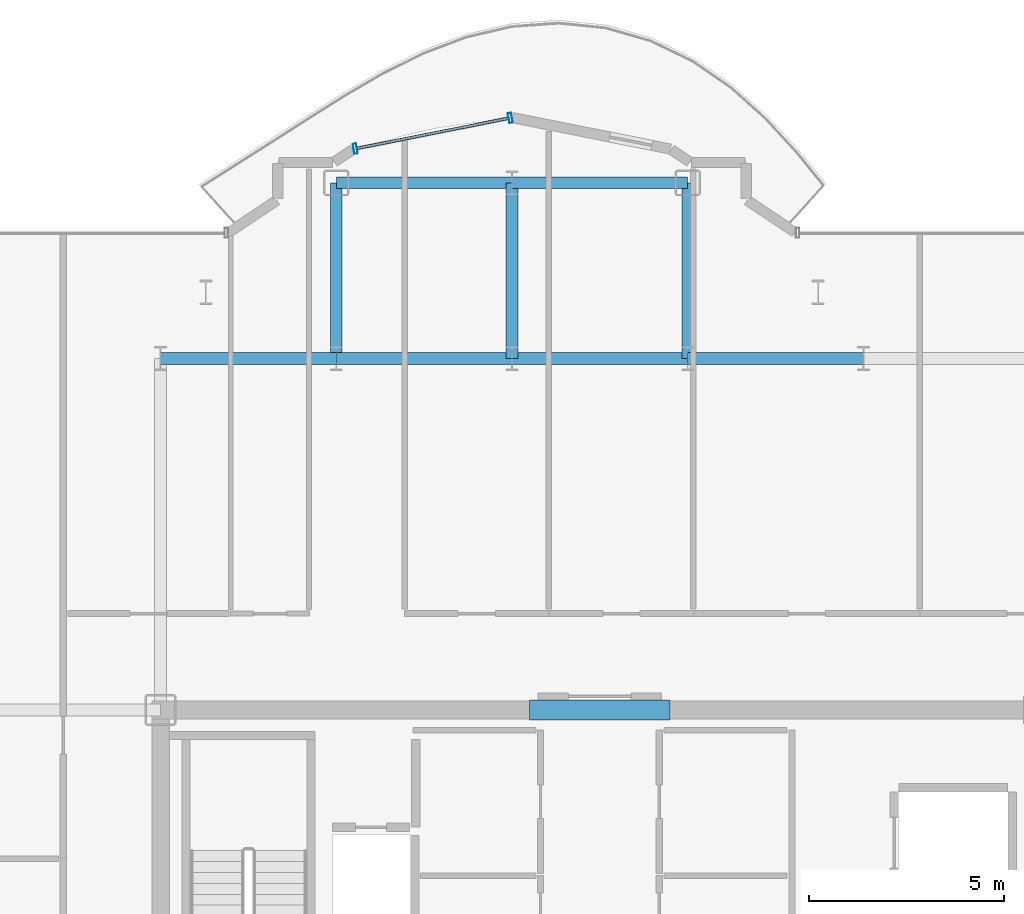
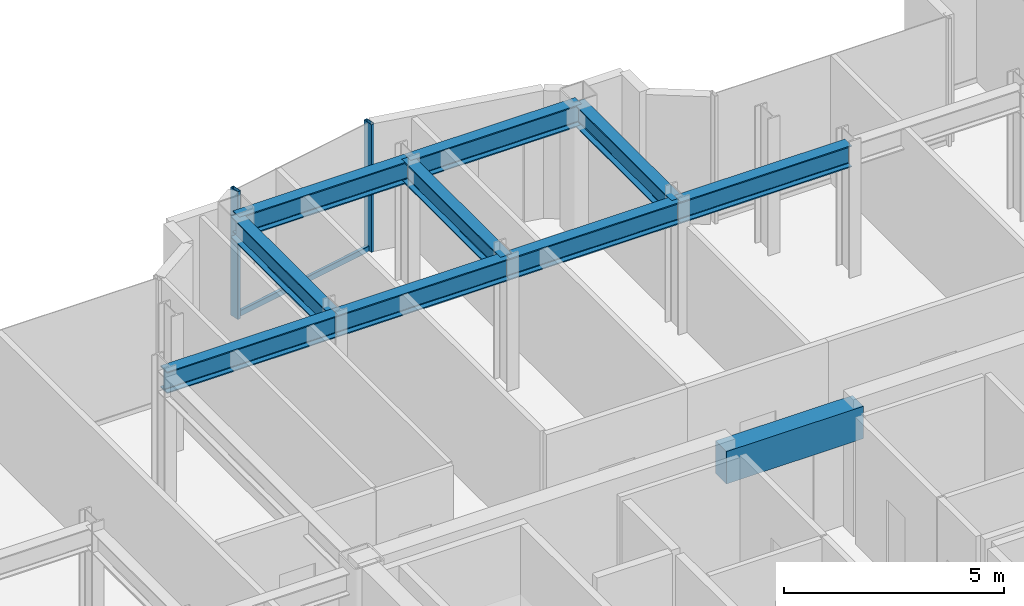
# One storey, part 8 of 17: 10 beams, 3 members, 1 element without a shape of its own.
"""IFC4 building model written with IfcOpenShell, lengths in metres."""

import ifcopenshell
import ifcopenshell.guid

model = None  # the IFC model being written
_history = None  # IfcOwnerHistory: only IFC2X3 demands one
_inside = {}  # id of a spatial element -> (the spatial element, [elements in it])
_under = {}  # id of a project, library or spatial element -> (it, [spatial elements below it])
_declared = {}  # id of a project -> (the project, [libraries it declares])
_typed = {}  # id of a type object -> (the type object, [elements of that type])
_made_of = {}  # id of a material, layer set ... -> (it, [elements and type objects made of it])


def new_model(schema):
    """Start an empty IFC model of exactly this schema.

    Asked for "IFC4X3", IfcOpenShell would pick the latest addendum, in which some entities
    have other attributes; the version numbers below select the first issue.
    IFC2X3 requires an IfcOwnerHistory on every rooted entity: one is made here for all.
    """
    global model, _history
    if schema == "IFC4X3":
        model = ifcopenshell.file(schema_version=(4, 3, 0, 0))
    else:
        model = ifcopenshell.file(schema=schema)
    _inside.clear()
    _under.clear()
    _declared.clear()
    _typed.clear()
    _made_of.clear()
    _history = None
    if model.schema == "IFC2X3":
        org = make("IfcOrganization", Name="unknown")
        user = make(
            "IfcPersonAndOrganization",
            ThePerson=make("IfcPerson", FamilyName="unknown"),
            TheOrganization=org,
        )
        app = make(
            "IfcApplication",
            ApplicationDeveloper=org,
            Version="unknown",
            ApplicationFullName="unknown",
            ApplicationIdentifier="unknown",
        )
        _history = make(
            "IfcOwnerHistory",
            OwningUser=user,
            OwningApplication=app,
            ChangeAction="ADDED",
            CreationDate=0,
        )
    return model


def make(cls, **values):
    """One entity of the class cls with the attributes given. An attribute that is None is left unset."""
    return model.create_entity(
        cls, **{name: value for name, value in values.items() if value is not None}
    )


def rooted(cls, **values):
    """An entity with a GlobalId (a new one), such as an element, a storey or a relation."""
    return make(cls, GlobalId=ifcopenshell.guid.new(), OwnerHistory=_history, **values)


def si_unit(unit_type, name, prefix=None):
    """IfcSIUnit, for example si_unit("LENGTHUNIT", "METRE", prefix="MILLI")."""
    return make("IfcSIUnit", UnitType=unit_type, Prefix=prefix, Name=name)


def assignment(units):
    """IfcUnitAssignment: the units of a project."""
    return None if units is None else make("IfcUnitAssignment", Units=units)


def point(xyz):
    """IfcCartesianPoint."""
    return None if xyz is None else make("IfcCartesianPoint", Coordinates=xyz)


def direction(xyz):
    """IfcDirection."""
    return None if xyz is None else make("IfcDirection", DirectionRatios=xyz)


def frame(location, z_axis=None, x_axis=None):
    """IfcAxis2Placement3D, a coordinate frame: its origin and axes. An axis left out is left unset."""
    return make(
        "IfcAxis2Placement3D",
        Location=point(location),
        Axis=direction(z_axis),
        RefDirection=direction(x_axis),
    )


def frame_2d(location, x_axis=None):
    """IfcAxis2Placement2D, a coordinate frame in the plane: its origin and x axis."""
    return make(
        "IfcAxis2Placement2D", Location=point(location), RefDirection=direction(x_axis)
    )


def origin():
    """The frame at (0, 0, 0) with its axes left unset."""
    return frame((0.0, 0.0, 0.0))


def origin_2d():
    """The frame at (0, 0) in the plane with its x axis left unset."""
    return frame_2d((0.0, 0.0))


def place(relative_to, where):
    """IfcLocalPlacement: puts the frame where relative to a parent placement (None: the world)."""
    return make(
        "IfcLocalPlacement", PlacementRelTo=relative_to, RelativePlacement=where
    )


def context(
    kind, dimensions, precision=None, world=None, true_north=None, identifier=None
):
    """IfcGeometricRepresentationContext, for example the 3D "Model" context."""
    return make(
        "IfcGeometricRepresentationContext",
        ContextIdentifier=identifier,
        ContextType=kind,
        CoordinateSpaceDimension=dimensions,
        Precision=precision,
        WorldCoordinateSystem=world,
        TrueNorth=true_north,
    )


def subcontext(parent, identifier, kind, view, scale=None):
    """IfcGeometricRepresentationSubContext, for example "Body" below "Model"."""
    return make(
        "IfcGeometricRepresentationSubContext",
        ContextIdentifier=identifier,
        ContextType=kind,
        ParentContext=parent,
        TargetScale=scale,
        TargetView=view,
    )


def project(units=None, contexts=None):
    """IfcProject with its units and contexts."""
    return rooted(
        "IfcProject",
        Name="project",
        RepresentationContexts=contexts,
        UnitsInContext=assignment(units),
    )


def spatial(cls, under=None, at=None, **own):
    """A site, building, storey or space (cls), placed at a placement, below another one or the project."""
    s = rooted(cls, ObjectPlacement=at, **own)
    if under is not None:
        _under.setdefault(under.id(), (under, []))[1].append(s)
    return s


def profile(cls, at=None, kind="AREA", **sizes):
    """A parametric profile (cls). Its sizes go by their IFC names, for example OverallWidth=200.0."""
    return make(cls, ProfileType=kind, Position=at, **sizes)


def rectangle(**sizes):
    """IfcRectangleProfileDef."""
    return profile("IfcRectangleProfileDef", **sizes)


def hollow_rectangle(**sizes):
    """IfcRectangleHollowProfileDef."""
    return profile("IfcRectangleHollowProfileDef", **sizes)


def i_section(**sizes):
    """IfcIShapeProfileDef."""
    return profile("IfcIShapeProfileDef", **sizes)


def extrude(swept, where, along, depth):
    """IfcExtrudedAreaSolid: the profile swept, set in the frame where, extruded along a direction by depth."""
    return make(
        "IfcExtrudedAreaSolid",
        SweptArea=swept,
        Position=where,
        ExtrudedDirection=direction(along),
        Depth=depth,
    )


def shape(context_of_items, identifier, shape_type, items):
    """IfcShapeRepresentation: the items that make up one representation, for example the "Body"."""
    return make(
        "IfcShapeRepresentation",
        ContextOfItems=context_of_items,
        RepresentationIdentifier=identifier,
        RepresentationType=shape_type,
        Items=items,
    )


def source(mapping_origin, context_of_items, identifier, shape_type, items):
    """IfcRepresentationMap: a shape defined once, which mapped items show again and again."""
    return make(
        "IfcRepresentationMap",
        MappingOrigin=mapping_origin,
        MappedRepresentation=shape(context_of_items, identifier, shape_type, items),
    )


def transform(
    local_origin,
    x_axis=None,
    y_axis=None,
    z_axis=None,
    scale=None,
    scale2=None,
    scale3=None,
    uniform=True,
):
    """IfcCartesianTransformationOperator3D, or its non-uniform kind. x_axis, y_axis, z_axis: its Axis1, 2, 3."""
    if uniform:
        return make(
            "IfcCartesianTransformationOperator3D",
            Axis1=direction(x_axis),
            Axis2=direction(y_axis),
            LocalOrigin=point(local_origin),
            Scale=scale,
            Axis3=direction(z_axis),
        )
    return make(
        "IfcCartesianTransformationOperator3DnonUniform",
        Axis1=direction(x_axis),
        Axis2=direction(y_axis),
        LocalOrigin=point(local_origin),
        Scale=scale,
        Axis3=direction(z_axis),
        Scale2=scale2,
        Scale3=scale3,
    )


def mapped(mapping_source, mapping_target):
    """IfcMappedItem: shows the shape of a source again, moved by a transform."""
    return make(
        "IfcMappedItem", MappingSource=mapping_source, MappingTarget=mapping_target
    )


def material(Name=None, Category=None):
    """IfcMaterial."""
    return make("IfcMaterial", Name=Name, Category=Category)


def layer(
    of_material, thickness, ventilated=None, Name=None, Category=None, Priority=None
):
    """IfcMaterialLayer: one layer of a wall or slab, of a material (None: an air gap)."""
    return make(
        "IfcMaterialLayer",
        Material=of_material,
        LayerThickness=thickness,
        IsVentilated=ventilated,
        Name=Name,
        Category=Category,
        Priority=Priority,
    )


def layer_set(layers, Name=None):
    """IfcMaterialLayerSet."""
    return make("IfcMaterialLayerSet", MaterialLayers=layers, LayerSetName=Name)


def material_profile(
    of_material, cross_section, Name=None, Category=None, Priority=None
):
    """IfcMaterialProfile: a cross section and its material."""
    return make(
        "IfcMaterialProfile",
        Name=Name,
        Material=of_material,
        Profile=cross_section,
        Priority=Priority,
        Category=Category,
    )


def profile_set(profiles, Name=None, composite=None):
    """IfcMaterialProfileSet."""
    return make(
        "IfcMaterialProfileSet",
        Name=Name,
        MaterialProfiles=profiles,
        CompositeProfile=composite,
    )


def made_of(thing, what):
    """Note that an element or type object is made of a material, layer set ...; save() writes the relation."""
    if what is not None:
        _made_of.setdefault(what.id(), (what, []))[1].append(thing)
    return thing


def type_object(cls, material=None, **own):
    """A type object (cls), such as IfcWallType, which elements share."""
    return made_of(rooted(cls, **own), material)


def element(
    cls,
    number,
    at=None,
    inside=None,
    cuts=None,
    type_object=None,
    material=None,
    context=None,
    identifier="Body",
    shape_type=None,
    held_by="IfcProductDefinitionShape",
    body=None,
    shapes=None,
    **own,
):
    """One element of the class cls, such as IfcWall. Its Tag is "e" and its number.

    at: its placement. inside: the storey or other place that contains it. cuts: it is an
    opening in that element (IfcRelVoidsElement). A single representation is given by context,
    identifier, shape_type and body (its items); several are given by shapes. held_by: the class
    of the entity that holds the representations. save() writes the other relations.
    """
    e = rooted(cls, Tag="e%d" % number, ObjectPlacement=at, **own)
    if body is not None:
        shapes = [shape(context, identifier, shape_type, body)]
    if shapes is not None:
        e.Representation = make(held_by, Representations=shapes)
    if inside is not None:
        _inside.setdefault(inside.id(), (inside, []))[1].append(e)
    if cuts is not None:
        rooted(
            "IfcRelVoidsElement", RelatingBuildingElement=cuts, RelatedOpeningElement=e
        )
    if type_object is not None:
        _typed.setdefault(type_object.id(), (type_object, []))[1].append(e)
    return made_of(e, material)


def aggregate(whole, parts):
    """IfcRelAggregates: a whole, such as a stair, and the parts it consists of."""
    return rooted("IfcRelAggregates", RelatingObject=whole, RelatedObjects=parts)


def save(model, path):
    """Write the relations noted so far, then the file.

    IfcRelAggregates (storeys below a building ...), IfcRelContainedInSpatialStructure (elements
    in a storey), IfcRelDefinesByType, IfcRelAssociatesMaterial and IfcRelDeclares: one each for
    every whole, place, type object, material and project.
    """
    for whole, parts in _under.values():
        aggregate(whole, parts)
    for where, things in _inside.values():
        rooted(
            "IfcRelContainedInSpatialStructure",
            RelatedElements=things,
            RelatingStructure=where,
        )
    for kind, things in _typed.values():
        rooted("IfcRelDefinesByType", RelatedObjects=things, RelatingType=kind)
    for what, things in _made_of.values():
        rooted("IfcRelAssociatesMaterial", RelatedObjects=things, RelatingMaterial=what)
    for by, libraries in _declared.values():
        rooted("IfcRelDeclares", RelatingContext=by, RelatedDefinitions=libraries)
    model.write(path)


model = new_model("IFC4")

# Units and contexts
model_context = context("Model", 3, precision=1e-05, world=origin(), true_north=direction((0.0, 1.0)))
body_context = subcontext(model_context, "Body", "Model", "MODEL_VIEW")
ifc_project = project(units=[si_unit("LENGTHUNIT", "METRE"), si_unit("AREAUNIT", "SQUARE_METRE"), si_unit("VOLUMEUNIT", "CUBIC_METRE"), si_unit("PLANEANGLEUNIT", "RADIAN"), si_unit("MASSUNIT", "GRAM", prefix="KILO")], contexts=[model_context])

# Site, building, storey
site_placement = place(None, origin())
site = spatial("IfcSite", under=ifc_project, at=site_placement, CompositionType="ELEMENT")
building_placement = place(site_placement, origin())
building = spatial("IfcBuilding", under=site, at=building_placement, Name="Nefas-Gora Pilgrimage Tower", CompositionType="ELEMENT")
storey_placement = place(building_placement, frame((0.0, 0.0, 264.60009765625)))
storey = spatial("IfcBuildingStorey", under=building, at=storey_placement, Name="L66", CompositionType="ELEMENT", Elevation=264.60009765625)

# Beams
ifc_material_1 = material(Name="Concrete C50/60", Category="concrete")
ifc_material_profile_1 = material_profile(ifc_material_1, rectangle(XDim=0.5, YDim=0.89990234375, at=origin_2d()), Name="RC 500x900")
ifc_profile_set_1 = profile_set([ifc_material_profile_1], Name="Concrete C50/60")
beam_type_1 = type_object("IfcBeamType", Name="BM-LIN-RC900", PredefinedType="LINTEL", material=ifc_profile_set_1)
shared_shape_1 = source(origin(), body_context, "Body", "SweptSolid", [
    extrude(rectangle(XDim=0.5, YDim=0.89990234375, at=origin_2d()), origin(), (0.0, 0.0, 1.0), 3.60009765625),
])
beam_placement = place(storey_placement, frame((-1.800048828125, 9.0, 3.099853515625), z_axis=(1.0, 0.0, 0.0), x_axis=(0.0, 1.0, 0.0)))
element("IfcBeam", 1, at=beam_placement, inside=storey, type_object=beam_type_1, Name="L66 Core Coupling Lintel Beam N", PredefinedType="LINTEL", context=body_context, shape_type="MappedRepresentation", body=[
    mapped(shared_shape_1, transform((0.0, 0.0, 0.0), x_axis=(1.0, 0.0, 0.0), y_axis=(0.0, 1.0, 0.0), z_axis=(0.0, 0.0, 1.0), scale=1.0)),
])
ifc_material_2 = material(Name="Steel S355", Category="steel")
ifc_material_profile_2 = material_profile(ifc_material_2, i_section(OverallWidth=0.300048828125, OverallDepth=0.60009765625, WebThickness=0.015380859375, FlangeThickness=0.030029296875, FilletRadius=0.027099609375, at=origin_2d()), Name="HEB 600")
ifc_profile_set_2 = profile_set([ifc_material_profile_2], Name="Steel S355")
beam_type_2 = type_object("IfcBeamType", Name="BM-GIR-HEB600", PredefinedType="BEAM", material=ifc_profile_set_2)
shared_shape_2 = source(origin(), body_context, "Body", "SweptSolid", [
    extrude(i_section(OverallWidth=0.300048828125, OverallDepth=0.60009765625, WebThickness=0.015380859375, FlangeThickness=0.030029296875, FilletRadius=0.027099609375, at=origin_2d()), origin(), (0.0, 0.0, 1.0), 4.5),
])
for number, where, z_axis, x_axis, name in (
    (2, (-11.25, 18.0, 3.25), (1.0, 0.0, 0.0), (0.0, 1.0, 0.0), "L66 G-04 beam"),
    (3, (-6.75, 18.0, 3.25), (0.0, 1.0, 0.0), (-1.0, 0.0, 0.0), "L66 G-04 beam"),
    (4, (-6.75, 18.0, 3.25), (1.0, 0.0, 0.0), (0.0, 1.0, 0.0), "L66 G-04 beam"),
    (5, (-6.75, 22.5, 3.25), (1.0, 0.0, 0.0), (0.0, 1.0, 0.0), "L66 G-04 beam"),
    (6, (-2.25, 18.0, 3.25), (0.0, 1.0, 0.0), (-1.0, 0.0, 0.0), "L66 G-04 beam"),
    (7, (-2.25, 18.0, 3.25), (1.0, 0.0, 0.0), (0.0, 1.0, 0.0), "L66 G-04 beam"),
    (8, (-2.25, 22.5, 3.25), (1.0, 0.0, 0.0), (0.0, 1.0, 0.0), "L66 G-04 beam"),
    (9, (2.25, 18.0, 3.25), (0.0, 1.0, 0.0), (-1.0, 0.0, 0.0), "L66 G-04 beam"),
    (10, (2.25, 18.0, 3.25), (1.0, 0.0, 0.0), (0.0, 1.0, 0.0), "L66 G-04 beam"),
):
    element("IfcBeam", number, at=place(storey_placement, frame(where, z_axis=z_axis, x_axis=x_axis)), inside=storey, type_object=beam_type_2, Name=name, PredefinedType="BEAM", context=body_context, shape_type="MappedRepresentation", body=[
        mapped(shared_shape_2, transform((0.0, 0.0, 0.0), x_axis=(1.0, 0.0, 0.0), y_axis=(0.0, 1.0, 0.0), z_axis=(0.0, 0.0, 1.0), scale=1.0)),
    ])

# Curtain wall, members
ifc_material_3 = material(Name="Dark ceramic-fritted solar-control aluminium-glass curtain wall", Category="aluminium")
ifc_layer = layer(ifc_material_3, 0.219970703125)
ifc_layer_set = layer_set([ifc_layer], Name="Dark ceramic-fritted solar-control aluminium-glass curtain wall")
curtain_wall_type = type_object("IfcCurtainWallType", Name="CW-SYS-5", PredefinedType="NOTDEFINED", material=ifc_layer_set)
curtain_wall_placement = place(storey_placement, origin())
curtain_wall = element("IfcCurtainWall", 11, at=curtain_wall_placement, inside=storey, type_object=curtain_wall_type, Name="L66 Unitised Curtain Wall CW5", PredefinedType="NOTDEFINED")
ifc_material_4 = material(Name="Anodised architectural aluminium", Category="aluminium")
ifc_material_profile_3 = material_profile(ifc_material_4, hollow_rectangle(XDim=0.080078125, YDim=0.159912109375, WallThickness=0.00439453125, InnerFilletRadius=0.00439453125, OuterFilletRadius=0.009033203125, at=origin_2d()), Name="ALU TRANSOM 80x160")
ifc_profile_set_3 = profile_set([ifc_material_profile_3], Name="Anodised architectural aluminium")
member_type_1 = type_object("IfcMemberType", Name="CWM-TRN-5", PredefinedType="USERDEFINED", material=ifc_profile_set_3)
shared_shape_3 = source(origin(), body_context, "Body", "SweptSolid", [
    extrude(hollow_rectangle(XDim=0.080078125, YDim=0.159912109375, WallThickness=0.00439453125, InnerFilletRadius=0.00439453125, OuterFilletRadius=0.009033203125, at=origin_2d()), origin(), (0.0, 0.0, 1.0), 3.95654296875),
])
member_1_placement = place(storey_placement, frame((-2.33837890625, 24.15478515625, 0.0498046875), z_axis=(-0.980781880918, -0.195107411605, 0.0), x_axis=(0.195107411605, -0.980781880918, 0.0)))
member_1 = element("IfcMember", 12, at=member_1_placement, type_object=member_type_1, Name="CW5 Spandrel Transom", ObjectType="TRANSOM", PredefinedType="USERDEFINED", context=body_context, shape_type="MappedRepresentation", body=[
    mapped(shared_shape_3, transform((0.0, 0.0, 0.0), x_axis=(1.0, 0.0, 0.0), y_axis=(0.0, 1.0, 0.0), z_axis=(0.0, 0.0, 1.0), scale=1.0)),
])
ifc_material_profile_4 = material_profile(ifc_material_4, hollow_rectangle(XDim=0.090087890625, YDim=0.260009765625, WallThickness=0.006103515625, InnerFilletRadius=0.006103515625, OuterFilletRadius=0.011962890625, at=origin_2d()), Name="ALU MULLION 90x260")
ifc_profile_set_4 = profile_set([ifc_material_profile_4], Name="Anodised architectural aluminium")
member_type_2 = type_object("IfcMemberType", Name="CWM-MUL-5", PredefinedType="MULLION", material=ifc_profile_set_4)
shared_shape_4 = source(origin(), body_context, "Body", "SweptSolid", [
    extrude(hollow_rectangle(XDim=0.090087890625, YDim=0.260009765625, WallThickness=0.006103515625, InnerFilletRadius=0.006103515625, OuterFilletRadius=0.011962890625, at=origin_2d()), origin(), (0.0, 0.0, 1.0), 3.5498046875),
])
member_2_placement = place(storey_placement, frame((-2.294189453125, 24.16357421875, 0.0), z_axis=(0.0, 0.0, 1.0), x_axis=(-0.980782896852, -0.195102304554, 0.0)))
member_2 = element("IfcMember", 13, at=member_2_placement, type_object=member_type_2, Name="CW5 Mullion 1", PredefinedType="MULLION", context=body_context, shape_type="MappedRepresentation", body=[
    mapped(shared_shape_4, transform((0.0, 0.0, 0.0), x_axis=(1.0, 0.0, 0.0), y_axis=(0.0, 1.0, 0.0), z_axis=(0.0, 0.0, 1.0), scale=1.0)),
])
member_3_placement = place(storey_placement, frame((-6.26318359375, 23.3740234375, 0.0), z_axis=(0.0, 0.0, 1.0), x_axis=(-0.980782896852, -0.195102304554, 0.0)))
member_3 = element("IfcMember", 14, at=member_3_placement, type_object=member_type_2, Name="CW5 Mullion 2", PredefinedType="MULLION", context=body_context, shape_type="MappedRepresentation", body=[
    mapped(shared_shape_4, transform((0.0, 0.0, 0.0), x_axis=(1.0, 0.0, 0.0), y_axis=(0.0, 1.0, 0.0), z_axis=(0.0, 0.0, 1.0), scale=1.0)),
])
aggregate(curtain_wall, [member_2, member_3, member_1])

save(model, "model.ifc")
